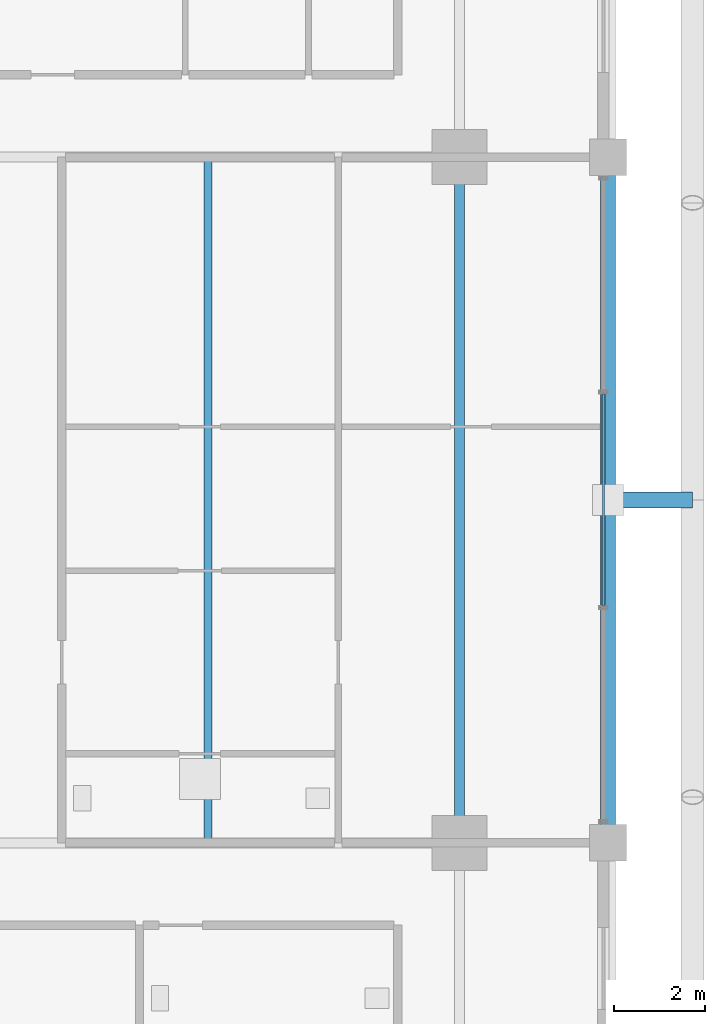
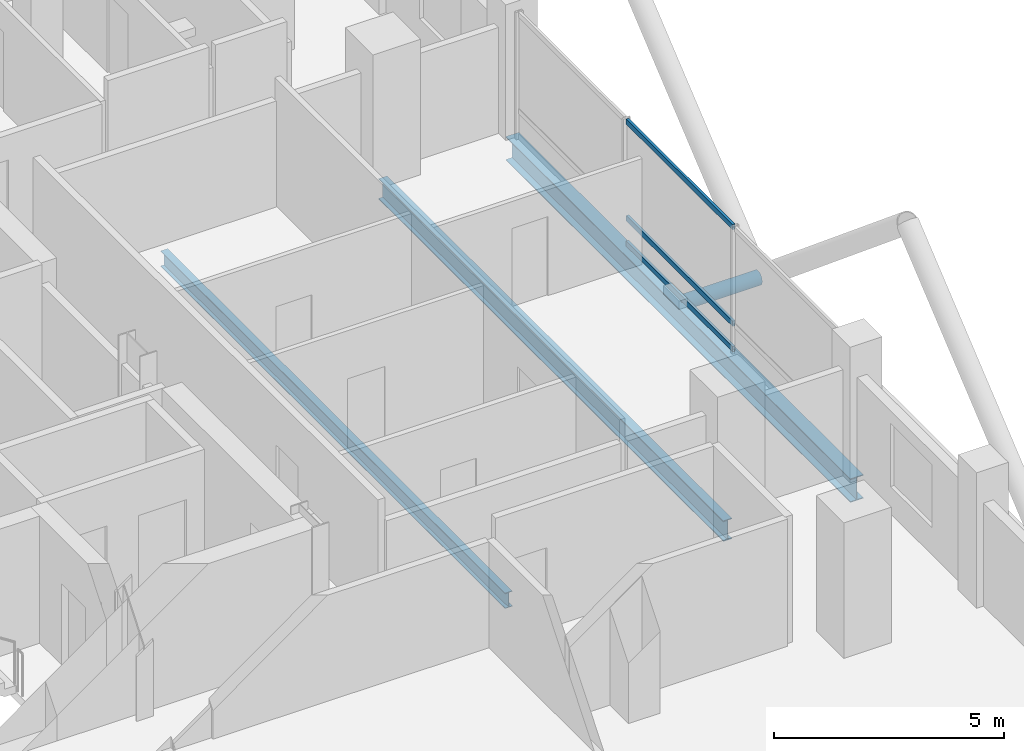
# One storey, part 10 of 24: 4 members, 3 beams, 1 element without a shape of its own.
"""IFC4 building model written with IfcOpenShell, lengths in metres."""

import ifcopenshell
import ifcopenshell.guid

model = None  # the IFC model being written
_history = None  # IfcOwnerHistory: only IFC2X3 demands one
_inside = {}  # id of a spatial element -> (the spatial element, [elements in it])
_under = {}  # id of a project, library or spatial element -> (it, [spatial elements below it])
_declared = {}  # id of a project -> (the project, [libraries it declares])
_typed = {}  # id of a type object -> (the type object, [elements of that type])
_made_of = {}  # id of a material, layer set ... -> (it, [elements and type objects made of it])


def new_model(schema):
    """Start an empty IFC model of exactly this schema.

    Asked for "IFC4X3", IfcOpenShell would pick the latest addendum, in which some entities
    have other attributes; the version numbers below select the first issue.
    IFC2X3 requires an IfcOwnerHistory on every rooted entity: one is made here for all.
    """
    global model, _history
    if schema == "IFC4X3":
        model = ifcopenshell.file(schema_version=(4, 3, 0, 0))
    else:
        model = ifcopenshell.file(schema=schema)
    _inside.clear()
    _under.clear()
    _declared.clear()
    _typed.clear()
    _made_of.clear()
    _history = None
    if model.schema == "IFC2X3":
        org = make("IfcOrganization", Name="unknown")
        user = make(
            "IfcPersonAndOrganization",
            ThePerson=make("IfcPerson", FamilyName="unknown"),
            TheOrganization=org,
        )
        app = make(
            "IfcApplication",
            ApplicationDeveloper=org,
            Version="unknown",
            ApplicationFullName="unknown",
            ApplicationIdentifier="unknown",
        )
        _history = make(
            "IfcOwnerHistory",
            OwningUser=user,
            OwningApplication=app,
            ChangeAction="ADDED",
            CreationDate=0,
        )
    return model


def make(cls, **values):
    """One entity of the class cls with the attributes given. An attribute that is None is left unset."""
    return model.create_entity(
        cls, **{name: value for name, value in values.items() if value is not None}
    )


def rooted(cls, **values):
    """An entity with a GlobalId (a new one), such as an element, a storey or a relation."""
    return make(cls, GlobalId=ifcopenshell.guid.new(), OwnerHistory=_history, **values)


def si_unit(unit_type, name, prefix=None):
    """IfcSIUnit, for example si_unit("LENGTHUNIT", "METRE", prefix="MILLI")."""
    return make("IfcSIUnit", UnitType=unit_type, Prefix=prefix, Name=name)


def assignment(units):
    """IfcUnitAssignment: the units of a project."""
    return None if units is None else make("IfcUnitAssignment", Units=units)


def point(xyz):
    """IfcCartesianPoint."""
    return None if xyz is None else make("IfcCartesianPoint", Coordinates=xyz)


def direction(xyz):
    """IfcDirection."""
    return None if xyz is None else make("IfcDirection", DirectionRatios=xyz)


def frame(location, z_axis=None, x_axis=None):
    """IfcAxis2Placement3D, a coordinate frame: its origin and axes. An axis left out is left unset."""
    return make(
        "IfcAxis2Placement3D",
        Location=point(location),
        Axis=direction(z_axis),
        RefDirection=direction(x_axis),
    )


def frame_2d(location, x_axis=None):
    """IfcAxis2Placement2D, a coordinate frame in the plane: its origin and x axis."""
    return make(
        "IfcAxis2Placement2D", Location=point(location), RefDirection=direction(x_axis)
    )


def origin():
    """The frame at (0, 0, 0) with its axes left unset."""
    return frame((0.0, 0.0, 0.0))


def origin_2d():
    """The frame at (0, 0) in the plane with its x axis left unset."""
    return frame_2d((0.0, 0.0))


def place(relative_to, where):
    """IfcLocalPlacement: puts the frame where relative to a parent placement (None: the world)."""
    return make(
        "IfcLocalPlacement", PlacementRelTo=relative_to, RelativePlacement=where
    )


def context(
    kind, dimensions, precision=None, world=None, true_north=None, identifier=None
):
    """IfcGeometricRepresentationContext, for example the 3D "Model" context."""
    return make(
        "IfcGeometricRepresentationContext",
        ContextIdentifier=identifier,
        ContextType=kind,
        CoordinateSpaceDimension=dimensions,
        Precision=precision,
        WorldCoordinateSystem=world,
        TrueNorth=true_north,
    )


def subcontext(parent, identifier, kind, view, scale=None):
    """IfcGeometricRepresentationSubContext, for example "Body" below "Model"."""
    return make(
        "IfcGeometricRepresentationSubContext",
        ContextIdentifier=identifier,
        ContextType=kind,
        ParentContext=parent,
        TargetScale=scale,
        TargetView=view,
    )


def project(units=None, contexts=None):
    """IfcProject with its units and contexts."""
    return rooted(
        "IfcProject",
        Name="project",
        RepresentationContexts=contexts,
        UnitsInContext=assignment(units),
    )


def spatial(cls, under=None, at=None, **own):
    """A site, building, storey or space (cls), placed at a placement, below another one or the project."""
    s = rooted(cls, ObjectPlacement=at, **own)
    if under is not None:
        _under.setdefault(under.id(), (under, []))[1].append(s)
    return s


def profile(cls, at=None, kind="AREA", **sizes):
    """A parametric profile (cls). Its sizes go by their IFC names, for example OverallWidth=200.0."""
    return make(cls, ProfileType=kind, Position=at, **sizes)


def hollow_rectangle(**sizes):
    """IfcRectangleHollowProfileDef."""
    return profile("IfcRectangleHollowProfileDef", **sizes)


def hollow_circle(**sizes):
    """IfcCircleHollowProfileDef."""
    return profile("IfcCircleHollowProfileDef", **sizes)


def i_section(**sizes):
    """IfcIShapeProfileDef."""
    return profile("IfcIShapeProfileDef", **sizes)


def extrude(swept, where, along, depth):
    """IfcExtrudedAreaSolid: the profile swept, set in the frame where, extruded along a direction by depth."""
    return make(
        "IfcExtrudedAreaSolid",
        SweptArea=swept,
        Position=where,
        ExtrudedDirection=direction(along),
        Depth=depth,
    )


def shape(context_of_items, identifier, shape_type, items):
    """IfcShapeRepresentation: the items that make up one representation, for example the "Body"."""
    return make(
        "IfcShapeRepresentation",
        ContextOfItems=context_of_items,
        RepresentationIdentifier=identifier,
        RepresentationType=shape_type,
        Items=items,
    )


def material(Name=None, Category=None):
    """IfcMaterial."""
    return make("IfcMaterial", Name=Name, Category=Category)


def layer(
    of_material, thickness, ventilated=None, Name=None, Category=None, Priority=None
):
    """IfcMaterialLayer: one layer of a wall or slab, of a material (None: an air gap)."""
    return make(
        "IfcMaterialLayer",
        Material=of_material,
        LayerThickness=thickness,
        IsVentilated=ventilated,
        Name=Name,
        Category=Category,
        Priority=Priority,
    )


def layer_set(layers, Name=None):
    """IfcMaterialLayerSet."""
    return make("IfcMaterialLayerSet", MaterialLayers=layers, LayerSetName=Name)


def material_profile(
    of_material, cross_section, Name=None, Category=None, Priority=None
):
    """IfcMaterialProfile: a cross section and its material."""
    return make(
        "IfcMaterialProfile",
        Name=Name,
        Material=of_material,
        Profile=cross_section,
        Priority=Priority,
        Category=Category,
    )


def profile_set(profiles, Name=None, composite=None):
    """IfcMaterialProfileSet."""
    return make(
        "IfcMaterialProfileSet",
        Name=Name,
        MaterialProfiles=profiles,
        CompositeProfile=composite,
    )


def made_of(thing, what):
    """Note that an element or type object is made of a material, layer set ...; save() writes the relation."""
    if what is not None:
        _made_of.setdefault(what.id(), (what, []))[1].append(thing)
    return thing


def type_object(cls, material=None, **own):
    """A type object (cls), such as IfcWallType, which elements share."""
    return made_of(rooted(cls, **own), material)


def element(
    cls,
    number,
    at=None,
    inside=None,
    cuts=None,
    type_object=None,
    material=None,
    context=None,
    identifier="Body",
    shape_type=None,
    held_by="IfcProductDefinitionShape",
    body=None,
    shapes=None,
    **own,
):
    """One element of the class cls, such as IfcWall. Its Tag is "e" and its number.

    at: its placement. inside: the storey or other place that contains it. cuts: it is an
    opening in that element (IfcRelVoidsElement). A single representation is given by context,
    identifier, shape_type and body (its items); several are given by shapes. held_by: the class
    of the entity that holds the representations. save() writes the other relations.
    """
    e = rooted(cls, Tag="e%d" % number, ObjectPlacement=at, **own)
    if body is not None:
        shapes = [shape(context, identifier, shape_type, body)]
    if shapes is not None:
        e.Representation = make(held_by, Representations=shapes)
    if inside is not None:
        _inside.setdefault(inside.id(), (inside, []))[1].append(e)
    if cuts is not None:
        rooted(
            "IfcRelVoidsElement", RelatingBuildingElement=cuts, RelatedOpeningElement=e
        )
    if type_object is not None:
        _typed.setdefault(type_object.id(), (type_object, []))[1].append(e)
    return made_of(e, material)


def aggregate(whole, parts):
    """IfcRelAggregates: a whole, such as a stair, and the parts it consists of."""
    return rooted("IfcRelAggregates", RelatingObject=whole, RelatedObjects=parts)


def save(model, path):
    """Write the relations noted so far, then the file.

    IfcRelAggregates (storeys below a building ...), IfcRelContainedInSpatialStructure (elements
    in a storey), IfcRelDefinesByType, IfcRelAssociatesMaterial and IfcRelDeclares: one each for
    every whole, place, type object, material and project.
    """
    for whole, parts in _under.values():
        aggregate(whole, parts)
    for where, things in _inside.values():
        rooted(
            "IfcRelContainedInSpatialStructure",
            RelatedElements=things,
            RelatingStructure=where,
        )
    for kind, things in _typed.values():
        rooted("IfcRelDefinesByType", RelatedObjects=things, RelatingType=kind)
    for what, things in _made_of.values():
        rooted("IfcRelAssociatesMaterial", RelatedObjects=things, RelatingMaterial=what)
    for by, libraries in _declared.values():
        rooted("IfcRelDeclares", RelatingContext=by, RelatedDefinitions=libraries)
    model.write(path)


model = new_model("IFC4")

# Units and contexts
model_context = context("Model", 3, precision=1e-05, world=origin(), true_north=direction((0.0, 1.0)))
body_context = subcontext(model_context, "Body", "Model", "MODEL_VIEW")
ifc_project = project(units=[si_unit("LENGTHUNIT", "METRE"), si_unit("AREAUNIT", "SQUARE_METRE"), si_unit("VOLUMEUNIT", "CUBIC_METRE"), si_unit("PLANEANGLEUNIT", "RADIAN"), si_unit("MASSUNIT", "GRAM", prefix="KILO")], contexts=[model_context])

# Site, building, storey
site_placement = place(None, origin())
site = spatial("IfcSite", under=ifc_project, at=site_placement, CompositionType="ELEMENT")
building_placement = place(site_placement, origin())
building = spatial("IfcBuilding", under=site, at=building_placement, Name="Barlavira Tower and Art Museum", CompositionType="ELEMENT")
storey_placement = place(building_placement, frame((0.0, 0.0, 109.800048828125)))
storey = spatial("IfcBuildingStorey", under=building, at=storey_placement, Name="L27", CompositionType="ELEMENT", Elevation=109.800048828125)

# Curtain wall, members
ifc_material_1 = material(Name="Low-iron coastal laminated glass", Category="glass")
ifc_layer = layer(ifc_material_1, 0.18994140625, Name="Low-iron coastal laminated glass")
ifc_layer_set = layer_set([ifc_layer], Name="Low-iron coastal laminated glass")
curtain_wall_type = type_object("IfcCurtainWallType", Name="Pale-Metal Unitised Curtain Wall Zone 2", PredefinedType="NOTDEFINED", material=ifc_layer_set)
curtain_wall_placement = place(storey_placement, origin())
curtain_wall = element("IfcCurtainWall", 1, at=curtain_wall_placement, inside=storey, type_object=curtain_wall_type, Name="L27 Curtain Wall CW2-L27-E-B3", PredefinedType="NOTDEFINED")
ifc_material_2 = material(Name="Pale anodised aluminium", Category="aluminium")
ifc_material_profile_1 = material_profile(ifc_material_2, hollow_rectangle(XDim=0.06494140625, YDim=0.139892578125, WallThickness=0.00390625, at=origin_2d()), Name="ALU-TRAN 65x140x4")
ifc_profile_set_1 = profile_set([ifc_material_profile_1], Name="Pale anodised aluminium")
member_type_1 = type_object("IfcMemberType", Name="Curtain Wall Pale-Metal Transom 65x140", PredefinedType="USERDEFINED", material=ifc_profile_set_1)
member_1_placement = place(storey_placement, frame((20.14990234375, -2.31494140625, 0.070068359375), z_axis=(0.0, 1.0, 0.0), x_axis=(-1.0, 0.0, 0.0)))
member_1 = element("IfcMember", 2, at=member_1_placement, type_object=member_type_1, Name="CW2-L27-E-B3 Transom 1.1", ObjectType="TRANSOM", PredefinedType="USERDEFINED", context=body_context, shape_type="SweptSolid", body=[
    extrude(hollow_rectangle(XDim=0.06494140625, YDim=0.139892578125, WallThickness=0.00390625, at=origin_2d()), origin(), (0.0, 0.0, 1.0), 4.6298828125),
])
member_2_placement = place(storey_placement, frame((20.14990234375, -2.31494140625, 0.743896484375), z_axis=(0.0, 1.0, 0.0), x_axis=(-1.0, 0.0, 0.0)))
member_2 = element("IfcMember", 3, at=member_2_placement, type_object=member_type_1, Name="CW2-L27-E-B3 Transom 1.2", ObjectType="TRANSOM", PredefinedType="USERDEFINED", context=body_context, shape_type="SweptSolid", body=[
    extrude(hollow_rectangle(XDim=0.06494140625, YDim=0.139892578125, WallThickness=0.00390625, at=origin_2d()), origin(), (0.0, 0.0, 1.0), 4.6298828125),
])
member_3_placement = place(storey_placement, frame((20.14990234375, -2.31494140625, 3.31005859375), z_axis=(0.0, 1.0, 0.0), x_axis=(-1.0, 0.0, 0.0)))
member_3 = element("IfcMember", 4, at=member_3_placement, type_object=member_type_1, Name="CW2-L27-E-B3 Transom 1.3", ObjectType="TRANSOM", PredefinedType="USERDEFINED", context=body_context, shape_type="SweptSolid", body=[
    extrude(hollow_rectangle(XDim=0.06494140625, YDim=0.139892578125, WallThickness=0.00390625, at=origin_2d()), origin(), (0.0, 0.0, 1.0), 4.6298828125),
])
aggregate(curtain_wall, [member_1, member_2, member_3])

# Member
ifc_material_3 = material(Name="Steel S355", Category="steel")
ifc_material_profile_2 = material_profile(ifc_material_3, hollow_circle(Radius=0.177734375, WallThickness=0.01611328125, at=origin_2d()), Name="CHS 355.6x16.0")
ifc_profile_set_2 = profile_set([ifc_material_profile_2], Name="Steel S355")
member_type_2 = type_object("IfcMemberType", Name="Pale-Metal Exoskeleton Tie Strut CHS 356x16 Steel S355", PredefinedType="STRUT", material=ifc_profile_set_2)
member_4_placement = place(storey_placement, frame((22.10009765625, 0.0, -0.1201171875), z_axis=(-1.0, 0.0, 0.0), x_axis=(0.0, -1.0, 0.0)))
element("IfcMember", 5, at=member_4_placement, inside=storey, type_object=member_type_2, Name="L27 Exoskeleton Tie Strut E2", PredefinedType="STRUT", context=body_context, shape_type="SweptSolid", body=[
    extrude(hollow_circle(Radius=0.177734375, WallThickness=0.01611328125, at=origin_2d()), origin(), (0.0, 0.0, 1.0), 1.85009765625),
])

# Beams
ifc_material_profile_3 = material_profile(ifc_material_3, i_section(OverallWidth=0.327880859375, OverallDepth=0.62890625, WebThickness=0.013916015625, FlangeThickness=0.021484375, at=origin_2d()), Name="W610x174.0")
ifc_profile_set_3 = profile_set([ifc_material_profile_3], Name="Steel S355")
beam_type_1 = type_object("IfcBeamType", Name="Perimeter Spandrel Edge Beam W610x174 Steel S355", PredefinedType="SPANDREL", material=ifc_profile_set_3)
beam_1_placement = place(storey_placement, frame((20.25, -7.5, -0.53466796875), z_axis=(0.0, 1.0, 0.0), x_axis=(-1.0, 0.0, 0.0)))
element("IfcBeam", 6, at=beam_1_placement, inside=storey, type_object=beam_type_1, Name="L27 Spandrel 6", PredefinedType="SPANDREL", context=body_context, shape_type="SweptSolid", body=[
    extrude(i_section(OverallWidth=0.327880859375, OverallDepth=0.62890625, WebThickness=0.013916015625, FlangeThickness=0.021484375, at=origin_2d()), origin(), (0.0, 0.0, 1.0), 15.0),
])
ifc_material_profile_4 = material_profile(ifc_material_3, i_section(OverallWidth=0.214111328125, OverallDepth=0.549072265625, WebThickness=0.0146484375, FlangeThickness=0.023681640625, at=origin_2d()), Name="W530x138.0")
ifc_profile_set_4 = profile_set([ifc_material_profile_4], Name="Steel S355")
beam_type_2 = type_object("IfcBeamType", Name="Zone 1 Primary Floor Girder W530x138 Steel S355", PredefinedType="BEAM", material=ifc_profile_set_4)
beam_2_placement = place(storey_placement, frame((17.0, -7.5, -0.49462890625), z_axis=(0.0, 1.0, 0.0), x_axis=(-1.0, 0.0, 0.0)))
element("IfcBeam", 7, at=beam_2_placement, inside=storey, type_object=beam_type_2, Name="L27 Girder M-E2", PredefinedType="BEAM", context=body_context, shape_type="SweptSolid", body=[
    extrude(i_section(OverallWidth=0.214111328125, OverallDepth=0.549072265625, WebThickness=0.0146484375, FlangeThickness=0.023681640625, at=origin_2d()), origin(), (0.0, 0.0, 1.0), 15.0),
])
ifc_material_profile_5 = material_profile(ifc_material_3, i_section(OverallWidth=0.179931640625, OverallDepth=0.4130859375, WebThickness=0.009765625, FlangeThickness=0.01611328125, at=origin_2d()), Name="W410x75.0")
ifc_profile_set_5 = profile_set([ifc_material_profile_5], Name="Steel S355")
beam_type_3 = type_object("IfcBeamType", Name="Zone 2 Composite Floor Joist W410x75 Steel S355", PredefinedType="JOIST", material=ifc_profile_set_5)
beam_3_placement = place(storey_placement, frame((11.5, -7.5, -0.426513671875), z_axis=(0.0, 1.0, 0.0), x_axis=(-1.0, 0.0, 0.0)))
element("IfcBeam", 8, at=beam_3_placement, inside=storey, type_object=beam_type_3, Name="L27 Joist W2", PredefinedType="JOIST", context=body_context, shape_type="SweptSolid", body=[
    extrude(i_section(OverallWidth=0.179931640625, OverallDepth=0.4130859375, WebThickness=0.009765625, FlangeThickness=0.01611328125, at=origin_2d()), origin(), (0.0, 0.0, 1.0), 15.0),
])

save(model, "model.ifc")
